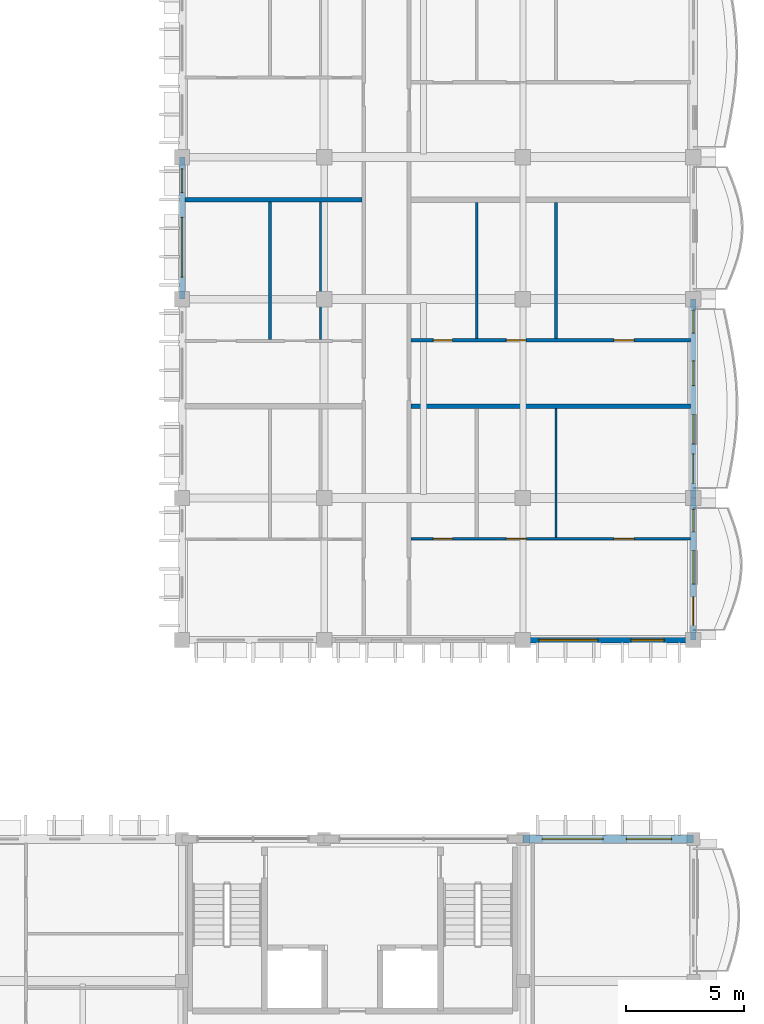
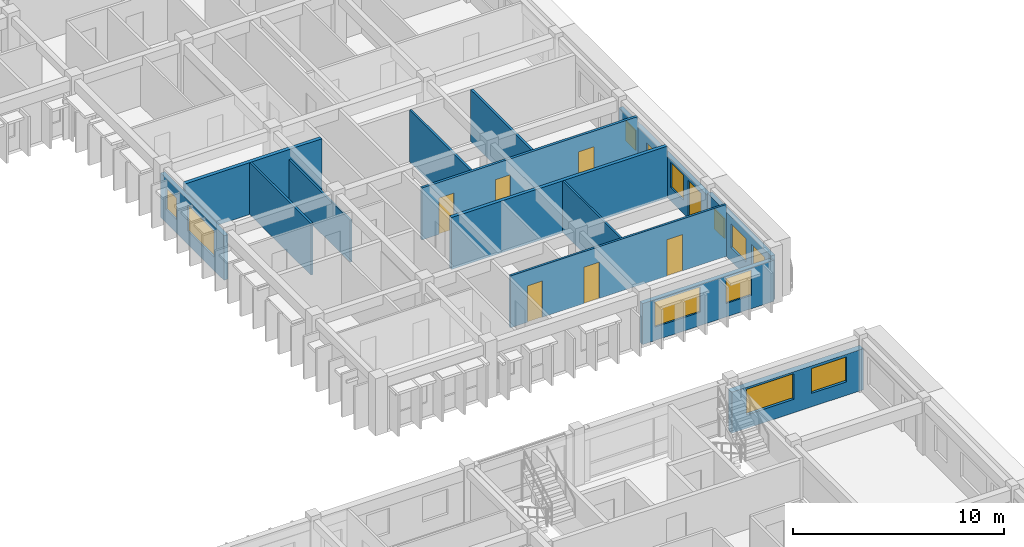
# One storey, part 63 of 101: 14 walls, 11 windows, 8 doors, 19 openings.
"""IFC4 building model written with IfcOpenShell, lengths in metres."""

from ifc_helpers import new_model, si_unit, direction, frame, frame_2d, origin, place, context, subcontext, project, spatial, rectangle, extrude, material, layer, layer_set, type_object, element, fill, save


model = new_model("IFC4")

# Units and contexts
model_context = context("Model", 3, precision=1e-05, world=origin(), true_north=direction((0.0, 1.0)))
body_context = subcontext(model_context, "Body", "Model", "MODEL_VIEW")
ifc_project = project(units=[si_unit("LENGTHUNIT", "METRE"), si_unit("AREAUNIT", "SQUARE_METRE"), si_unit("VOLUMEUNIT", "CUBIC_METRE"), si_unit("PLANEANGLEUNIT", "RADIAN"), si_unit("MASSUNIT", "GRAM", prefix="KILO"), si_unit("THERMODYNAMICTEMPERATUREUNIT", "KELVIN")], contexts=[model_context])

# Site, building, storey
site_placement = place(None, origin())
site = spatial("IfcSite", under=ifc_project, at=site_placement, CompositionType="ELEMENT")
building_placement = place(site_placement, origin())
building = spatial("IfcBuilding", under=site, at=building_placement, Name="Thalorik Housing Commons", CompositionType="ELEMENT")
storey_placement = place(building_placement, frame((0.0, 0.0, 8.10009765625)))
storey = spatial("IfcBuildingStorey", under=building, at=storey_placement, Name="L02", CompositionType="ELEMENT", Elevation=8.10009765625)

# Wall, openings, windows
ifc_material_1 = material(Name="White precast concrete C40/50", Category="concrete")
ifc_layer_1 = layer(ifc_material_1, 0.235107421875, Name="White precast concrete C40/50", Category="concrete")
ifc_layer_set_1 = layer_set([ifc_layer_1], Name="White precast concrete C40/50")
wall_type_1 = type_object("IfcWallType", Name="ARC-WAL-EXT-235", PredefinedType="STANDARD", material=ifc_layer_set_1)
wall_1_placement = place(storey_placement, frame((152.39990234375, 100.800048828125, 0.0), z_axis=(0.0, 0.0, 1.0), x_axis=(0.0, -1.0, 0.0)))
wall_1 = element("IfcWall", 1, at=wall_1_placement, inside=storey, type_object=wall_type_1, Name="L02 Exterior Wall WAL-EXT-L02-B-0473", PredefinedType="STANDARD", context=body_context, shape_type="SweptSolid", body=[
    extrude(rectangle(XDim=6.0, YDim=0.235107421875, at=frame_2d((3.0, 0.0))), origin(), (0.0, 0.0, 1.0), 2.574951171875),
])
opening_1_placement = place(wall_1_placement, frame((0.4951171875, 0.0, 0.780029296875)))
opening_1 = element("IfcOpeningElement", 2, at=opening_1_placement, cuts=wall_1, Name="Opening W-02", PredefinedType="OPENING", context=body_context, shape_type="SweptSolid", body=[
    extrude(rectangle(XDim=1.0, YDim=1.25, at=frame_2d((0.5, 0.625))), frame((0.0, 0.12744140625, 0.0), z_axis=(0.0, -1.0, 0.0), x_axis=(1.0, 0.0, 0.0)), (0.0, 0.0, 1.0), 0.255126953125),
])
opening_2_placement = place(wall_1_placement, frame((2.544921875, 0.0, 0.780029296875)))
opening_2 = element("IfcOpeningElement", 3, at=opening_2_placement, cuts=wall_1, Name="Opening W-72", PredefinedType="OPENING", context=body_context, shape_type="SweptSolid", body=[
    extrude(rectangle(XDim=2.52001953125, YDim=1.5, at=frame_2d((1.260009765625, 0.75))), frame((0.0, 0.12744140625, 0.0), z_axis=(0.0, -1.0, 0.0), x_axis=(1.0, 0.0, 0.0)), (0.0, 0.0, 1.0), 0.255126953125),
])
ifc_material_2 = material(Name="Anodised aluminium and solar-control low-E glass", Category="aluminium")
window_type_1 = type_object("IfcWindowType", Name="ARC-WIN-02", PartitioningType="SINGLE_PANEL", PredefinedType="WINDOW", material=ifc_material_2)
window_1_placement = place(opening_1_placement, origin())
window_1 = element("IfcWindow", 4, at=window_1_placement, inside=storey, type_object=window_type_1, Name="L02 Facade Window 848", OverallHeight=1.25, OverallWidth=1.0, PartitioningType="SINGLE_PANEL", PredefinedType="WINDOW", context=body_context, shape_type="SweptSolid", body=[
    extrude(rectangle(XDim=1.0, YDim=1.25, at=frame_2d((0.5, 0.625))), frame((0.0, 0.030029296875, 0.0), z_axis=(0.0, -1.0, 0.0), x_axis=(1.0, 0.0, 0.0)), (0.0, 0.0, 1.0), 0.06005859375),
])
fill(opening_1, window_1)
window_type_2 = type_object("IfcWindowType", Name="ARC-WIN-72", PartitioningType="DOUBLE_PANEL_VERTICAL", PredefinedType="WINDOW", material=ifc_material_2)
window_2_placement = place(opening_2_placement, origin())
window_2 = element("IfcWindow", 5, at=window_2_placement, inside=storey, type_object=window_type_2, Name="L02 Facade Window 849", OverallHeight=1.5, OverallWidth=2.52001953125, PartitioningType="DOUBLE_PANEL_VERTICAL", PredefinedType="WINDOW", context=body_context, shape_type="SweptSolid", body=[
    extrude(rectangle(XDim=2.52001953125, YDim=1.5, at=frame_2d((1.260009765625, 0.75))), frame((0.0, 0.030029296875, 0.0), z_axis=(0.0, -1.0, 0.0), x_axis=(1.0, 0.0, 0.0)), (0.0, 0.0, 1.0), 0.06005859375),
])
fill(opening_2, window_2)

wall_2_placement = place(storey_placement, frame((166.800048828125, 80.39990234375, 0.0), z_axis=(0.0, 0.0, 1.0), x_axis=(1.0, 0.0, 0.0)))
wall_2 = element("IfcWall", 6, at=wall_2_placement, inside=storey, type_object=wall_type_1, Name="L02 Exterior Wall WAL-EXT-L02-B-0478", PredefinedType="STANDARD", context=body_context, shape_type="SweptSolid", body=[
    extrude(rectangle(XDim=7.199951171875, YDim=0.235107421875, at=frame_2d((3.60009765625, 0.0))), origin(), (0.0, 0.0, 1.0), 2.375),
])
opening_3_placement = place(wall_2_placement, frame((0.68994140625, 0.0, 0.780029296875)))
opening_3 = element("IfcOpeningElement", 7, at=opening_3_placement, cuts=wall_2, Name="Opening W-71", PredefinedType="OPENING", context=body_context, shape_type="SweptSolid", body=[
    extrude(rectangle(XDim=2.47998046875, YDim=1.4599609375, at=frame_2d((1.239990234375, 0.72998046875))), frame((0.0, 0.12744140625, 0.0), z_axis=(0.0, -1.0, 0.0), x_axis=(1.0, 0.0, 0.0)), (0.0, 0.0, 1.0), 0.255126953125),
])
opening_4_placement = place(wall_2_placement, frame((4.570068359375, 0.0, 0.780029296875)))
opening_4 = element("IfcOpeningElement", 8, at=opening_4_placement, cuts=wall_2, Name="Opening W-08", PredefinedType="OPENING", context=body_context, shape_type="SweptSolid", body=[
    extrude(rectangle(XDim=1.39990234375, YDim=1.449951171875, at=frame_2d((0.699951171875, 0.72509765625))), frame((0.0, 0.12744140625, 0.0), z_axis=(0.0, -1.0, 0.0), x_axis=(1.0, 0.0, 0.0)), (0.0, 0.0, 1.0), 0.255126953125),
])
window_type_3 = type_object("IfcWindowType", Name="ARC-WIN-08", PartitioningType="SINGLE_PANEL", PredefinedType="WINDOW", material=ifc_material_2)
window_3_placement = place(opening_4_placement, origin())
window_3 = element("IfcWindow", 9, at=window_3_placement, inside=storey, type_object=window_type_3, Name="L02 Facade Window 861", OverallHeight=1.449951171875, OverallWidth=1.39990234375, PartitioningType="SINGLE_PANEL", PredefinedType="WINDOW", context=body_context, shape_type="SweptSolid", body=[
    extrude(rectangle(XDim=1.39990234375, YDim=1.449951171875, at=frame_2d((0.699951171875, 0.72509765625))), frame((0.0, 0.030029296875, 0.0), z_axis=(0.0, -1.0, 0.0), x_axis=(1.0, 0.0, 0.0)), (0.0, 0.0, 1.0), 0.06005859375),
])
fill(opening_4, window_3)
window_type_4 = type_object("IfcWindowType", Name="ARC-WIN-71", PartitioningType="DOUBLE_PANEL_VERTICAL", PredefinedType="WINDOW", material=ifc_material_2)
window_4_placement = place(opening_3_placement, origin())
window_4 = element("IfcWindow", 10, at=window_4_placement, inside=storey, type_object=window_type_4, Name="L02 Facade Window 860", OverallHeight=1.4599609375, OverallWidth=2.47998046875, PartitioningType="DOUBLE_PANEL_VERTICAL", PredefinedType="WINDOW", context=body_context, shape_type="SweptSolid", body=[
    extrude(rectangle(XDim=2.47998046875, YDim=1.4599609375, at=frame_2d((1.239990234375, 0.72998046875))), frame((0.0, 0.030029296875, 0.0), z_axis=(0.0, -1.0, 0.0), x_axis=(1.0, 0.0, 0.0)), (0.0, 0.0, 1.0), 0.06005859375),
])
fill(opening_3, window_4)

# Wall, openings, door, windows
wall_3_placement = place(storey_placement, frame((174.0, 80.39990234375, 0.0), z_axis=(0.0, 0.0, 1.0), x_axis=(0.0, 1.0, 0.0)))
wall_3 = element("IfcWall", 11, at=wall_3_placement, inside=storey, type_object=wall_type_1, Name="L02 Exterior Wall WAL-EXT-L02-B-0479", PredefinedType="STANDARD", context=body_context, shape_type="SweptSolid", body=[
    extrude(rectangle(XDim=6.0, YDim=0.235107421875, at=frame_2d((3.0, 0.0))), origin(), (0.0, 0.0, 1.0), 2.574951171875),
])
opening_5_placement = place(wall_3_placement, frame((0.6201171875, 0.0, 0.0)))
opening_5 = element("IfcOpeningElement", 12, at=opening_5_placement, cuts=wall_3, Name="Opening ED-0136", PredefinedType="OPENING", context=body_context, shape_type="SweptSolid", body=[
    extrude(rectangle(XDim=1.199951171875, YDim=2.14990234375, at=frame_2d((0.60009765625, 1.074951171875))), frame((0.0, 0.12744140625, 0.0), z_axis=(0.0, -1.0, 0.0), x_axis=(1.0, 0.0, 0.0)), (0.0, 0.0, 1.0), 0.255126953125),
])
opening_6_placement = place(wall_3_placement, frame((2.36181640625, 0.0, 0.780029296875)))
opening_6 = element("IfcOpeningElement", 13, at=opening_6_placement, cuts=wall_3, Name="Opening W-50", PredefinedType="OPENING", context=body_context, shape_type="SweptSolid", body=[
    extrude(rectangle(XDim=1.419921875, YDim=1.3798828125, at=frame_2d((0.7099609375, 0.68994140625))), frame((0.0, 0.12744140625, 0.0), z_axis=(0.0, -1.0, 0.0), x_axis=(1.0, 0.0, 0.0)), (0.0, 0.0, 1.0), 0.255126953125),
])
opening_7_placement = place(wall_3_placement, frame((4.56689453125, 0.0, 0.780029296875)))
opening_7 = element("IfcOpeningElement", 14, at=opening_7_placement, cuts=wall_3, Name="Opening W-43", PredefinedType="OPENING", context=body_context, shape_type="SweptSolid", body=[
    extrude(rectangle(XDim=0.949951171875, YDim=1.14990234375, at=frame_2d((0.47509765625, 0.574951171875))), frame((0.0, 0.12744140625, 0.0), z_axis=(0.0, -1.0, 0.0), x_axis=(1.0, 0.0, 0.0)), (0.0, 0.0, 1.0), 0.255126953125),
])
ifc_material_3 = material(Name="Anodised aluminium and laminated safety glass", Category="aluminium")
door_type_1 = type_object("IfcDoorType", Name="ARC-DR-BAL-1200", OperationType="NOTDEFINED", PredefinedType="DOOR", material=ifc_material_3)
door_1_placement = place(opening_5_placement, frame((1.199951171875, 0.0, 0.0), z_axis=(0.0, 0.0, 1.0), x_axis=(-1.0, 0.0, 0.0)))
door_1 = element("IfcDoor", 15, at=door_1_placement, inside=storey, type_object=door_type_1, Name="L02 Block B Balcony Glazed Door", OperationType="SINGLE_SWING_LEFT", OverallHeight=2.14990234375, OverallWidth=1.199951171875, PredefinedType="DOOR", context=body_context, shape_type="SweptSolid", body=[
    extrude(rectangle(XDim=1.199951171875, YDim=2.14990234375, at=frame_2d((0.60009765625, 1.074951171875))), frame((0.0, 0.02490234375, 0.0), z_axis=(0.0, -1.0, 0.0), x_axis=(1.0, 0.0, 0.0)), (0.0, 0.0, 1.0), 0.050048828125),
])
fill(opening_5, door_1)
window_type_5 = type_object("IfcWindowType", Name="ARC-WIN-43", PartitioningType="SINGLE_PANEL", PredefinedType="WINDOW", material=ifc_material_2)
window_5_placement = place(opening_7_placement, origin())
window_5 = element("IfcWindow", 16, at=window_5_placement, inside=storey, type_object=window_type_5, Name="L02 Facade Window 863", OverallHeight=1.14990234375, OverallWidth=0.949951171875, PartitioningType="SINGLE_PANEL", PredefinedType="WINDOW", context=body_context, shape_type="SweptSolid", body=[
    extrude(rectangle(XDim=0.949951171875, YDim=1.14990234375, at=frame_2d((0.47509765625, 0.574951171875))), frame((0.0, 0.030029296875, 0.0), z_axis=(0.0, -1.0, 0.0), x_axis=(1.0, 0.0, 0.0)), (0.0, 0.0, 1.0), 0.06005859375),
])
fill(opening_7, window_5)
window_type_6 = type_object("IfcWindowType", Name="ARC-WIN-50", PartitioningType="SINGLE_PANEL", PredefinedType="WINDOW", material=ifc_material_2)
window_6_placement = place(opening_6_placement, origin())
window_6 = element("IfcWindow", 17, at=window_6_placement, inside=storey, type_object=window_type_6, Name="L02 Facade Window 862", OverallHeight=1.3798828125, OverallWidth=1.419921875, PartitioningType="SINGLE_PANEL", PredefinedType="WINDOW", context=body_context, shape_type="SweptSolid", body=[
    extrude(rectangle(XDim=1.419921875, YDim=1.3798828125, at=frame_2d((0.7099609375, 0.68994140625))), frame((0.0, 0.030029296875, 0.0), z_axis=(0.0, -1.0, 0.0), x_axis=(1.0, 0.0, 0.0)), (0.0, 0.0, 1.0), 0.06005859375),
])
fill(opening_6, window_6)

wall_4_placement = place(storey_placement, frame((174.0, 86.39990234375, 0.0), z_axis=(0.0, 0.0, 1.0), x_axis=(0.0, 1.0, 0.0)))
wall_4 = element("IfcWall", 18, at=wall_4_placement, inside=storey, type_object=wall_type_1, Name="L02 Exterior Wall WAL-EXT-L02-B-0480", PredefinedType="STANDARD", context=body_context, shape_type="SweptSolid", body=[
    extrude(rectangle(XDim=8.400146484375, YDim=0.235107421875, at=frame_2d((4.2001953125, 0.0))), origin(), (0.0, 0.0, 1.0), 2.4248046875),
])
opening_8_placement = place(wall_4_placement, frame((0.6201171875, 0.0, 0.0)))
opening_8 = element("IfcOpeningElement", 19, at=opening_8_placement, cuts=wall_4, Name="Opening ED-0137", PredefinedType="OPENING", context=body_context, shape_type="SweptSolid", body=[
    extrude(rectangle(XDim=1.25, YDim=2.199951171875, at=frame_2d((0.625, 1.10009765625))), frame((0.0, 0.12744140625, 0.0), z_axis=(0.0, -1.0, 0.0), x_axis=(1.0, 0.0, 0.0)), (0.0, 0.0, 1.0), 0.255126953125),
])
opening_9_placement = place(wall_4_placement, frame((2.27490234375, 0.0, 0.780029296875)))
opening_9 = element("IfcOpeningElement", 20, at=opening_9_placement, cuts=wall_4, Name="Opening W-47", PredefinedType="OPENING", context=body_context, shape_type="SweptSolid", body=[
    extrude(rectangle(XDim=1.25, YDim=1.449951171875, at=frame_2d((0.625, 0.72509765625))), frame((0.0, 0.12744140625, 0.0), z_axis=(0.0, -1.0, 0.0), x_axis=(1.0, 0.0, 0.0)), (0.0, 0.0, 1.0), 0.255126953125),
])
opening_10_placement = place(wall_4_placement, frame((4.747802734375, 0.0, 0.780029296875)))
opening_10 = element("IfcOpeningElement", 21, at=opening_10_placement, cuts=wall_4, Name="Opening W-44", PredefinedType="OPENING", context=body_context, shape_type="SweptSolid", body=[
    extrude(rectangle(XDim=1.050048828125, YDim=1.199951171875, at=frame_2d((0.52490234375, 0.60009765625))), frame((0.0, 0.12744140625, 0.0), z_axis=(0.0, -1.0, 0.0), x_axis=(1.0, 0.0, 0.0)), (0.0, 0.0, 1.0), 0.255126953125),
])
opening_11_placement = place(wall_4_placement, frame((6.962890625, 0.0, 0.780029296875)))
opening_11 = element("IfcOpeningElement", 22, at=opening_11_placement, cuts=wall_4, Name="Opening W-43", PredefinedType="OPENING", context=body_context, shape_type="SweptSolid", body=[
    extrude(rectangle(XDim=0.949951171875, YDim=1.14990234375, at=frame_2d((0.47509765625, 0.574951171875))), frame((0.0, 0.12744140625, 0.0), z_axis=(0.0, -1.0, 0.0), x_axis=(1.0, 0.0, 0.0)), (0.0, 0.0, 1.0), 0.255126953125),
])
door_type_2 = type_object("IfcDoorType", Name="ARC-DR-BAL-1250", OperationType="NOTDEFINED", PredefinedType="DOOR", material=ifc_material_3)
door_2_placement = place(opening_8_placement, frame((1.25, 0.0, 0.0), z_axis=(0.0, 0.0, 1.0), x_axis=(-1.0, 0.0, 0.0)))
door_2 = element("IfcDoor", 23, at=door_2_placement, inside=storey, type_object=door_type_2, Name="L02 Block B Balcony Glazed Door", OperationType="SINGLE_SWING_RIGHT", OverallHeight=2.199951171875, OverallWidth=1.25, PredefinedType="DOOR", context=body_context, shape_type="SweptSolid", body=[
    extrude(rectangle(XDim=1.25, YDim=2.199951171875, at=frame_2d((0.625, 1.10009765625))), frame((0.0, 0.02490234375, 0.0), z_axis=(0.0, -1.0, 0.0), x_axis=(1.0, 0.0, 0.0)), (0.0, 0.0, 1.0), 0.050048828125),
])
fill(opening_8, door_2)
window_7_placement = place(opening_11_placement, origin())
window_7 = element("IfcWindow", 24, at=window_7_placement, inside=storey, type_object=window_type_5, Name="L02 Facade Window 866", OverallHeight=1.14990234375, OverallWidth=0.949951171875, PartitioningType="SINGLE_PANEL", PredefinedType="WINDOW", context=body_context, shape_type="SweptSolid", body=[
    extrude(rectangle(XDim=0.949951171875, YDim=1.14990234375, at=frame_2d((0.47509765625, 0.574951171875))), frame((0.0, 0.030029296875, 0.0), z_axis=(0.0, -1.0, 0.0), x_axis=(1.0, 0.0, 0.0)), (0.0, 0.0, 1.0), 0.06005859375),
])
fill(opening_11, window_7)
window_type_7 = type_object("IfcWindowType", Name="ARC-WIN-44", PartitioningType="SINGLE_PANEL", PredefinedType="WINDOW", material=ifc_material_2)
window_8_placement = place(opening_10_placement, origin())
window_8 = element("IfcWindow", 25, at=window_8_placement, inside=storey, type_object=window_type_7, Name="L02 Facade Window 865", OverallHeight=1.199951171875, OverallWidth=1.050048828125, PartitioningType="SINGLE_PANEL", PredefinedType="WINDOW", context=body_context, shape_type="SweptSolid", body=[
    extrude(rectangle(XDim=1.050048828125, YDim=1.199951171875, at=frame_2d((0.52490234375, 0.60009765625))), frame((0.0, 0.030029296875, 0.0), z_axis=(0.0, -1.0, 0.0), x_axis=(1.0, 0.0, 0.0)), (0.0, 0.0, 1.0), 0.06005859375),
])
fill(opening_10, window_8)
window_type_8 = type_object("IfcWindowType", Name="ARC-WIN-47", PartitioningType="SINGLE_PANEL", PredefinedType="WINDOW", material=ifc_material_2)
window_9_placement = place(opening_9_placement, origin())
window_9 = element("IfcWindow", 26, at=window_9_placement, inside=storey, type_object=window_type_8, Name="L02 Facade Window 864", OverallHeight=1.449951171875, OverallWidth=1.25, PartitioningType="SINGLE_PANEL", PredefinedType="WINDOW", context=body_context, shape_type="SweptSolid", body=[
    extrude(rectangle(XDim=1.25, YDim=1.449951171875, at=frame_2d((0.625, 0.72509765625))), frame((0.0, 0.030029296875, 0.0), z_axis=(0.0, -1.0, 0.0), x_axis=(1.0, 0.0, 0.0)), (0.0, 0.0, 1.0), 0.06005859375),
])
fill(opening_9, window_9)

# Wall, openings, windows
ifc_layer_2 = layer(ifc_material_1, 0.3349609375, Name="White precast concrete C40/50", Category="concrete")
ifc_layer_set_2 = layer_set([ifc_layer_2], Name="White precast concrete C40/50")
wall_type_2 = type_object("IfcWallType", Name="ARC-WAL-EXT-335", PredefinedType="STANDARD", material=ifc_layer_set_2)
wall_5_placement = place(storey_placement, frame((174.0, 72.0, 0.0), z_axis=(0.0, 0.0, 1.0), x_axis=(-1.0, 0.0, 0.0)))
wall_5 = element("IfcWall", 27, at=wall_5_placement, inside=storey, type_object=wall_type_2, Name="L02 Exterior Wall WAL-EXT-L02-D-1162", PredefinedType="STANDARD", context=body_context, shape_type="SweptSolid", body=[
    extrude(rectangle(XDim=7.199951171875, YDim=0.3349609375, at=frame_2d((3.60009765625, 0.0))), origin(), (0.0, 0.0, 1.0), 2.375),
])
opening_12_placement = place(wall_5_placement, frame((0.91259765625, 0.0, 0.780029296875)))
opening_12 = element("IfcOpeningElement", 28, at=opening_12_placement, cuts=wall_5, Name="Opening W-60", PredefinedType="OPENING", context=body_context, shape_type="SweptSolid", body=[
    extrude(rectangle(XDim=1.919921875, YDim=1.43994140625, at=frame_2d((0.9599609375, 0.719970703125))), frame((0.0, 0.177490234375, 0.0), z_axis=(0.0, -1.0, 0.0), x_axis=(1.0, 0.0, 0.0)), (0.0, 0.0, 1.0), 0.35498046875),
])
opening_13_placement = place(wall_5_placement, frame((3.8076171875, 0.0, 0.780029296875)))
opening_13 = element("IfcOpeningElement", 29, at=opening_13_placement, cuts=wall_5, Name="Opening W-73", PredefinedType="OPENING", context=body_context, shape_type="SweptSolid", body=[
    extrude(rectangle(XDim=2.580078125, YDim=1.47998046875, at=frame_2d((1.2900390625, 0.739990234375))), frame((0.0, 0.177490234375, 0.0), z_axis=(0.0, -1.0, 0.0), x_axis=(1.0, 0.0, 0.0)), (0.0, 0.0, 1.0), 0.35498046875),
])
window_type_9 = type_object("IfcWindowType", Name="ARC-WIN-60", PartitioningType="DOUBLE_PANEL_VERTICAL", PredefinedType="WINDOW", material=ifc_material_2)
window_10_placement = place(opening_12_placement, origin())
window_10 = element("IfcWindow", 30, at=window_10_placement, inside=storey, type_object=window_type_9, Name="L02 Facade Window 2131", OverallHeight=1.43994140625, OverallWidth=1.919921875, PartitioningType="DOUBLE_PANEL_VERTICAL", PredefinedType="WINDOW", context=body_context, shape_type="SweptSolid", body=[
    extrude(rectangle(XDim=1.919921875, YDim=1.43994140625, at=frame_2d((0.9599609375, 0.719970703125))), frame((0.0, 0.030029296875, 0.0), z_axis=(0.0, -1.0, 0.0), x_axis=(1.0, 0.0, 0.0)), (0.0, 0.0, 1.0), 0.06005859375),
])
fill(opening_12, window_10)
window_type_10 = type_object("IfcWindowType", Name="ARC-WIN-73", PartitioningType="DOUBLE_PANEL_VERTICAL", PredefinedType="WINDOW", material=ifc_material_2)
window_11_placement = place(opening_13_placement, origin())
window_11 = element("IfcWindow", 31, at=window_11_placement, inside=storey, type_object=window_type_10, Name="L02 Facade Window 2132", OverallHeight=1.47998046875, OverallWidth=2.580078125, PartitioningType="DOUBLE_PANEL_VERTICAL", PredefinedType="WINDOW", context=body_context, shape_type="SweptSolid", body=[
    extrude(rectangle(XDim=2.580078125, YDim=1.47998046875, at=frame_2d((1.2900390625, 0.739990234375))), frame((0.0, 0.030029296875, 0.0), z_axis=(0.0, -1.0, 0.0), x_axis=(1.0, 0.0, 0.0)), (0.0, 0.0, 1.0), 0.06005859375),
])
fill(opening_13, window_11)

# Walls
ifc_material_4 = material(Name="Gypsum light stud partition", Category="masonry")
ifc_layer_3 = layer(ifc_material_4, 0.10009765625, Name="Gypsum light stud partition", Category="masonry")
ifc_layer_set_3 = layer_set([ifc_layer_3], Name="Gypsum light stud partition")
wall_type_3 = type_object("IfcWallType", Name="ARC-WAL-PART-100", PredefinedType="PARTITIONING", material=ifc_layer_set_3)
wall_6_placement = place(storey_placement, frame((168.19921875, 84.733154296875, 0.0), z_axis=(0.0, 0.0, 1.0), x_axis=(0.0, 1.0, 0.0)))
element("IfcWall", 32, at=wall_6_placement, inside=storey, type_object=wall_type_3, Name="L02 Unit 1B Bedroom Partition", PredefinedType="PARTITIONING", context=body_context, shape_type="SweptSolid", body=[
    extrude(rectangle(XDim=5.452392578125, YDim=0.10009765625, at=frame_2d((2.72607421875, 0.0))), origin(), (0.0, 0.0, 1.0), 3.0),
])
wall_7_placement = place(storey_placement, frame((158.251220703125, 93.1044921875, 0.0), z_axis=(0.0, 0.0, 1.0), x_axis=(0.0, 1.0, 0.0)))
element("IfcWall", 33, at=wall_7_placement, inside=storey, type_object=wall_type_3, Name="L02 Unit 2 Wet Wall", PredefinedType="PARTITIONING", context=body_context, shape_type="SweptSolid", body=[
    extrude(rectangle(XDim=5.79345703125, YDim=0.10009765625, at=frame_2d((2.896728515625, 0.0))), origin(), (0.0, 0.0, 1.0), 2.4248046875),
])

# Wall, openings, doors
ifc_material_5 = material(Name="Gypsum moisture-resistant partition", Category="masonry")
ifc_layer_4 = layer(ifc_material_5, 0.114990234375, Name="Gypsum moisture-resistant partition", Category="masonry")
ifc_layer_set_4 = layer_set([ifc_layer_4], Name="Gypsum moisture-resistant partition")
wall_type_4 = type_object("IfcWallType", Name="ARC-WAL-PART-115", PredefinedType="PARTITIONING", material=ifc_layer_set_4)
wall_8_placement = place(storey_placement, frame((162.064453125, 84.673583984375, 0.0), z_axis=(0.0, 0.0, 1.0), x_axis=(1.0, 0.0, 0.0)))
wall_8 = element("IfcWall", 34, at=wall_8_placement, inside=storey, type_object=wall_type_4, Name="L02 Unit 1B Spine Partition", PredefinedType="PARTITIONING", context=body_context, shape_type="SweptSolid", body=[
    extrude(rectangle(XDim=11.816162109375, YDim=0.114990234375, at=frame_2d((5.908203125, 0.0))), origin(), (0.0, 0.0, 1.0), 3.0),
])
opening_14_placement = place(wall_8_placement, frame((0.95068359375, 0.0, 0.0)))
opening_14 = element("IfcOpeningElement", 35, at=opening_14_placement, cuts=wall_8, Name="Opening ID-1053", PredefinedType="OPENING", context=body_context, shape_type="SweptSolid", body=[
    extrude(rectangle(XDim=0.800048828125, YDim=2.10009765625, at=frame_2d((0.39990234375, 1.050048828125))), frame((0.0, 0.0673828125, 0.0), z_axis=(0.0, -1.0, 0.0), x_axis=(1.0, 0.0, 0.0)), (0.0, 0.0, 1.0), 0.135009765625),
])
opening_15_placement = place(wall_8_placement, frame((4.035400390625, 0.0, 0.0)))
opening_15 = element("IfcOpeningElement", 36, at=opening_15_placement, cuts=wall_8, Name="Opening ID-1054", PredefinedType="OPENING", context=body_context, shape_type="SweptSolid", body=[
    extrude(rectangle(XDim=0.85009765625, YDim=2.10009765625, at=frame_2d((0.425048828125, 1.050048828125))), frame((0.0, 0.0673828125, 0.0), z_axis=(0.0, -1.0, 0.0), x_axis=(1.0, 0.0, 0.0)), (0.0, 0.0, 1.0), 0.135009765625),
])
opening_16_placement = place(wall_8_placement, frame((8.580078125, 0.0, 0.0)))
opening_16 = element("IfcOpeningElement", 37, at=opening_16_placement, cuts=wall_8, Name="Opening ID-1055", PredefinedType="OPENING", context=body_context, shape_type="SweptSolid", body=[
    extrude(rectangle(XDim=0.85009765625, YDim=2.10009765625, at=frame_2d((0.425048828125, 1.050048828125))), frame((0.0, 0.0673828125, 0.0), z_axis=(0.0, -1.0, 0.0), x_axis=(1.0, 0.0, 0.0)), (0.0, 0.0, 1.0), 0.135009765625),
])
ifc_material_6 = material(Name="Moisture-resistant timber", Category="wood")
door_type_3 = type_object("IfcDoorType", Name="ARC-DR-INT-800", OperationType="NOTDEFINED", PredefinedType="DOOR", material=ifc_material_6)
door_3_placement = place(opening_14_placement, origin())
door_3 = element("IfcDoor", 38, at=door_3_placement, inside=storey, type_object=door_type_3, Name="L02 Flat Bathroom Door", OperationType="SINGLE_SWING_RIGHT", OverallHeight=2.10009765625, OverallWidth=0.800048828125, PredefinedType="DOOR", context=body_context, shape_type="SweptSolid", body=[
    extrude(rectangle(XDim=0.800048828125, YDim=2.10009765625, at=frame_2d((0.39990234375, 1.050048828125))), frame((0.0, 0.02490234375, 0.0), z_axis=(0.0, -1.0, 0.0), x_axis=(1.0, 0.0, 0.0)), (0.0, 0.0, 1.0), 0.050048828125),
])
fill(opening_14, door_3)
ifc_material_7 = material(Name="Engineered oak timber", Category="wood")
door_type_4 = type_object("IfcDoorType", Name="ARC-DR-INT-850", OperationType="NOTDEFINED", PredefinedType="DOOR", material=ifc_material_7)
door_4_placement = place(opening_15_placement, origin())
door_4 = element("IfcDoor", 39, at=door_4_placement, inside=storey, type_object=door_type_4, Name="L02 Eat-In Kitchen Door", OperationType="SINGLE_SWING_LEFT", OverallHeight=2.10009765625, OverallWidth=0.85009765625, PredefinedType="DOOR", context=body_context, shape_type="SweptSolid", body=[
    extrude(rectangle(XDim=0.85009765625, YDim=2.10009765625, at=frame_2d((0.425048828125, 1.050048828125))), frame((0.0, 0.02490234375, 0.0), z_axis=(0.0, -1.0, 0.0), x_axis=(1.0, 0.0, 0.0)), (0.0, 0.0, 1.0), 0.050048828125),
])
fill(opening_15, door_4)
door_5_placement = place(opening_16_placement, origin())
door_5 = element("IfcDoor", 40, at=door_5_placement, inside=storey, type_object=door_type_4, Name="L02 Master Bedroom Door", OperationType="SINGLE_SWING_RIGHT", OverallHeight=2.10009765625, OverallWidth=0.85009765625, PredefinedType="DOOR", context=body_context, shape_type="SweptSolid", body=[
    extrude(rectangle(XDim=0.85009765625, YDim=2.10009765625, at=frame_2d((0.425048828125, 1.050048828125))), frame((0.0, 0.02490234375, 0.0), z_axis=(0.0, -1.0, 0.0), x_axis=(1.0, 0.0, 0.0)), (0.0, 0.0, 1.0), 0.050048828125),
])
fill(opening_16, door_5)

# Walls
wall_9_placement = place(storey_placement, frame((156.11767578125, 93.1044921875, 0.0), z_axis=(0.0, 0.0, 1.0), x_axis=(0.0, 1.0, 0.0)))
element("IfcWall", 41, at=wall_9_placement, inside=storey, type_object=wall_type_4, Name="L02 Unit 2 Bedroom Partition", PredefinedType="PARTITIONING", context=body_context, shape_type="SweptSolid", body=[
    extrude(rectangle(XDim=5.79345703125, YDim=0.114990234375, at=frame_2d((2.896728515625, 0.0))), origin(), (0.0, 0.0, 1.0), 3.0),
])
wall_10_placement = place(storey_placement, frame((164.850341796875, 93.1376953125, 0.0), z_axis=(0.0, 0.0, 1.0), x_axis=(0.0, 1.0, 0.0)))
element("IfcWall", 42, at=wall_10_placement, inside=storey, type_object=wall_type_4, Name="L02 Unit 2B Wet Wall", PredefinedType="PARTITIONING", context=body_context, shape_type="SweptSolid", body=[
    extrude(rectangle(XDim=5.750244140625, YDim=0.114990234375, at=frame_2d((2.875, 0.0))), origin(), (0.0, 0.0, 1.0), 3.0),
])
ifc_material_8 = material(Name="Gypsum acoustic stud partition", Category="masonry")
ifc_layer_5 = layer(ifc_material_8, 0.125, Name="Gypsum acoustic stud partition", Category="masonry")
ifc_layer_set_5 = layer_set([ifc_layer_5], Name="Gypsum acoustic stud partition")
wall_type_5 = type_object("IfcWallType", Name="ARC-WAL-PART-125", PredefinedType="PARTITIONING", material=ifc_layer_set_5)
wall_11_placement = place(storey_placement, frame((168.19921875, 93.1376953125, 0.0), z_axis=(0.0, 0.0, 1.0), x_axis=(0.0, 1.0, 0.0)))
element("IfcWall", 43, at=wall_11_placement, inside=storey, type_object=wall_type_5, Name="L02 Unit 2B Bedroom Partition", PredefinedType="PARTITIONING", context=body_context, shape_type="SweptSolid", body=[
    extrude(rectangle(XDim=5.750244140625, YDim=0.125, at=frame_2d((2.875, 0.0))), origin(), (0.0, 0.0, 1.0), 3.0),
])

# Wall, openings, doors
ifc_material_9 = material(Name="Ceramic masonry partition wall", Category="masonry")
ifc_layer_6 = layer(ifc_material_9, 0.139892578125, Name="Ceramic masonry partition wall", Category="masonry")
ifc_layer_set_6 = layer_set([ifc_layer_6], Name="Ceramic masonry partition wall")
wall_type_6 = type_object("IfcWallType", Name="ARC-WAL-PART-140", PredefinedType="PARTITIONING", material=ifc_layer_set_6)
wall_12_placement = place(storey_placement, frame((162.064453125, 93.065673828125, 0.0), z_axis=(0.0, 0.0, 1.0), x_axis=(1.0, 0.0, 0.0)))
wall_12 = element("IfcWall", 44, at=wall_12_placement, inside=storey, type_object=wall_type_6, Name="L02 Unit 2B Spine Partition", PredefinedType="PARTITIONING", context=body_context, shape_type="SweptSolid", body=[
    extrude(rectangle(XDim=11.816162109375, YDim=0.139892578125, at=frame_2d((5.908203125, 0.0))), origin(), (0.0, 0.0, 1.0), 3.0),
])
opening_17_placement = place(wall_12_placement, frame((0.95068359375, 0.0, 0.0)))
opening_17 = element("IfcOpeningElement", 45, at=opening_17_placement, cuts=wall_12, Name="Opening ID-1059", PredefinedType="OPENING", context=body_context, shape_type="SweptSolid", body=[
    extrude(rectangle(XDim=0.800048828125, YDim=2.10009765625, at=frame_2d((0.39990234375, 1.050048828125))), frame((0.0, 0.080078125, 0.0), z_axis=(0.0, -1.0, 0.0), x_axis=(1.0, 0.0, 0.0)), (0.0, 0.0, 1.0), 0.159912109375),
])
opening_18_placement = place(wall_12_placement, frame((4.035400390625, 0.0, 0.0)))
opening_18 = element("IfcOpeningElement", 46, at=opening_18_placement, cuts=wall_12, Name="Opening ID-1060", PredefinedType="OPENING", context=body_context, shape_type="SweptSolid", body=[
    extrude(rectangle(XDim=0.820068359375, YDim=2.080078125, at=frame_2d((0.41015625, 1.0400390625))), frame((0.0, 0.080078125, 0.0), z_axis=(0.0, -1.0, 0.0), x_axis=(1.0, 0.0, 0.0)), (0.0, 0.0, 1.0), 0.159912109375),
])
opening_19_placement = place(wall_12_placement, frame((8.580078125, 0.0, 0.0)))
opening_19 = element("IfcOpeningElement", 47, at=opening_19_placement, cuts=wall_12, Name="Opening ID-1061", PredefinedType="OPENING", context=body_context, shape_type="SweptSolid", body=[
    extrude(rectangle(XDim=0.85009765625, YDim=2.10009765625, at=frame_2d((0.425048828125, 1.050048828125))), frame((0.0, 0.080078125, 0.0), z_axis=(0.0, -1.0, 0.0), x_axis=(1.0, 0.0, 0.0)), (0.0, 0.0, 1.0), 0.159912109375),
])
door_6_placement = place(opening_17_placement, origin())
door_6 = element("IfcDoor", 48, at=door_6_placement, inside=storey, type_object=door_type_3, Name="L02 Flat Bathroom Door", OperationType="SINGLE_SWING_RIGHT", OverallHeight=2.10009765625, OverallWidth=0.800048828125, PredefinedType="DOOR", context=body_context, shape_type="SweptSolid", body=[
    extrude(rectangle(XDim=0.800048828125, YDim=2.10009765625, at=frame_2d((0.39990234375, 1.050048828125))), frame((0.0, 0.02490234375, 0.0), z_axis=(0.0, -1.0, 0.0), x_axis=(1.0, 0.0, 0.0)), (0.0, 0.0, 1.0), 0.050048828125),
])
fill(opening_17, door_6)
door_type_5 = type_object("IfcDoorType", Name="ARC-DR-INT-820", OperationType="NOTDEFINED", PredefinedType="DOOR", material=ifc_material_7)
door_7_placement = place(opening_18_placement, origin())
door_7 = element("IfcDoor", 49, at=door_7_placement, inside=storey, type_object=door_type_5, Name="L02 Galley Kitchen Door", OperationType="SINGLE_SWING_LEFT", OverallHeight=2.080078125, OverallWidth=0.820068359375, PredefinedType="DOOR", context=body_context, shape_type="SweptSolid", body=[
    extrude(rectangle(XDim=0.820068359375, YDim=2.080078125, at=frame_2d((0.41015625, 1.0400390625))), frame((0.0, 0.02490234375, 0.0), z_axis=(0.0, -1.0, 0.0), x_axis=(1.0, 0.0, 0.0)), (0.0, 0.0, 1.0), 0.050048828125),
])
fill(opening_18, door_7)
door_8_placement = place(opening_19_placement, origin())
door_8 = element("IfcDoor", 50, at=door_8_placement, inside=storey, type_object=door_type_4, Name="L02 Double Bedroom Door", OperationType="SINGLE_SWING_RIGHT", OverallHeight=2.10009765625, OverallWidth=0.85009765625, PredefinedType="DOOR", context=body_context, shape_type="SweptSolid", body=[
    extrude(rectangle(XDim=0.85009765625, YDim=2.10009765625, at=frame_2d((0.425048828125, 1.050048828125))), frame((0.0, 0.02490234375, 0.0), z_axis=(0.0, -1.0, 0.0), x_axis=(1.0, 0.0, 0.0)), (0.0, 0.0, 1.0), 0.050048828125),
])
fill(opening_19, door_8)

# Walls
ifc_material_10 = material(Name="Masonry acoustic blockwork wall", Category="masonry")
ifc_layer_7 = layer(ifc_material_10, 0.18505859375, Name="Masonry acoustic blockwork wall", Category="masonry")
ifc_layer_set_7 = layer_set([ifc_layer_7], Name="Masonry acoustic blockwork wall")
wall_type_7 = type_object("IfcWallType", Name="ARC-WAL-PARTY-185", PredefinedType="PARTITIONING", material=ifc_layer_set_7)
wall_13_placement = place(storey_placement, frame((162.064453125, 90.280029296875, 0.0), z_axis=(0.0, 0.0, 1.0), x_axis=(1.0, 0.0, 0.0)))
element("IfcWall", 51, at=wall_13_placement, inside=storey, type_object=wall_type_7, Name="L02 Inter-Tenancy Wall 1B", PredefinedType="PARTITIONING", context=body_context, shape_type="SweptSolid", body=[
    extrude(rectangle(XDim=11.816162109375, YDim=0.18505859375, at=frame_2d((5.908203125, 0.0))), origin(), (0.0, 0.0, 1.0), 3.0),
])
ifc_material_11 = material(Name="Precast concrete C40/50 acoustic wall", Category="concrete")
ifc_layer_8 = layer(ifc_material_11, 0.199951171875, Name="Precast concrete C40/50 acoustic wall", Category="concrete")
ifc_layer_set_8 = layer_set([ifc_layer_8], Name="Precast concrete C40/50 acoustic wall")
wall_type_8 = type_object("IfcWallType", Name="ARC-WAL-PARTY-200", PredefinedType="PARTITIONING", material=ifc_layer_set_8)
wall_14_placement = place(storey_placement, frame((152.51953125, 99.0, 0.0), z_axis=(0.0, 0.0, 1.0), x_axis=(1.0, 0.0, 0.0)))
element("IfcWall", 52, at=wall_14_placement, inside=storey, type_object=wall_type_8, Name="L02 Inter-Tenancy Wall 2A", PredefinedType="PARTITIONING", context=body_context, shape_type="SweptSolid", body=[
    extrude(rectangle(XDim=7.4833984375, YDim=0.199951171875, at=frame_2d((3.74169921875, 0.0))), origin(), (0.0, 0.0, 1.0), 3.0),
])

save(model, "model.ifc")
